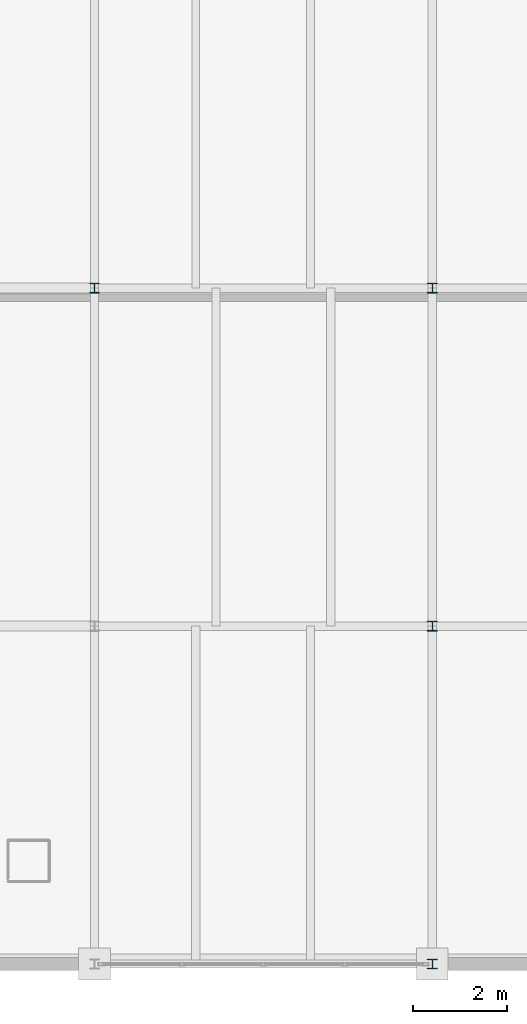
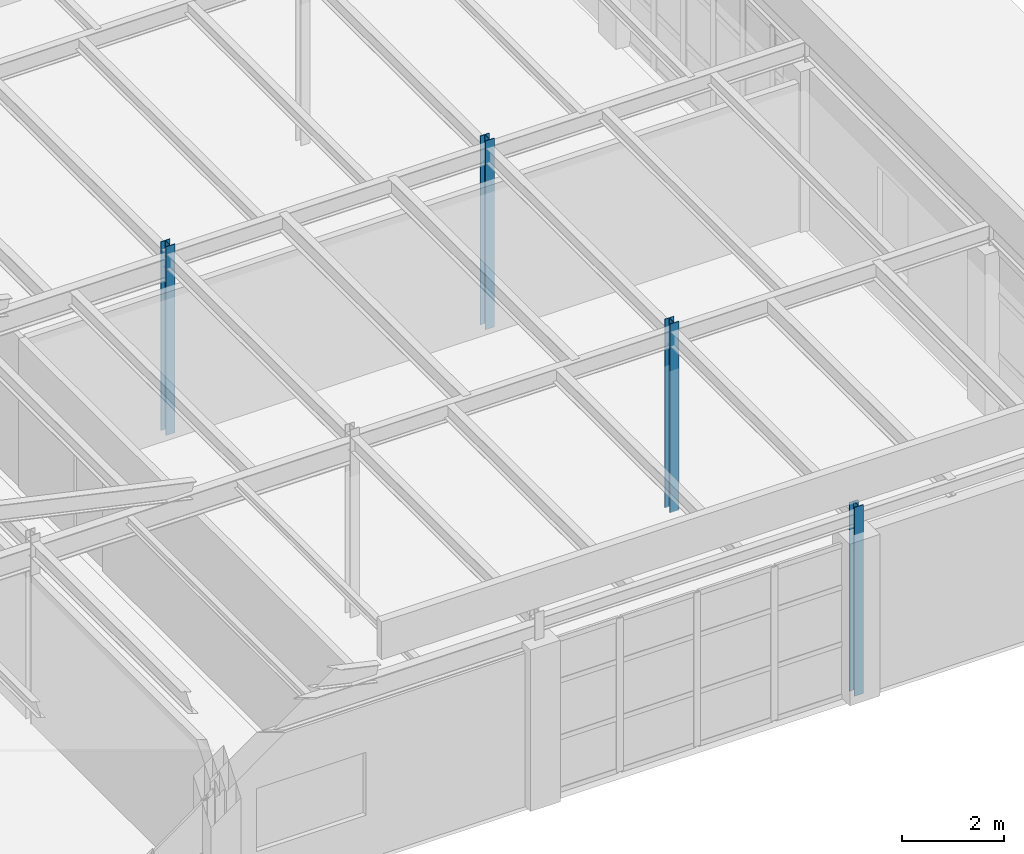
# One storey, part 2 of 43: 4 columns.
"""IFC4 building model written with IfcOpenShell, lengths in metres."""

from ifc_helpers import new_model, si_unit, direction, frame, origin, origin_2d, place, context, subcontext, project, spatial, i_section, extrude, material, material_profile, profile_set, type_object, element, save


model = new_model("IFC4")

# Units and contexts
model_context = context("Model", 3, precision=1e-05, world=origin(), true_north=direction((0.0, 1.0)))
body_context = subcontext(model_context, "Body", "Model", "MODEL_VIEW")
ifc_project = project(units=[si_unit("LENGTHUNIT", "METRE"), si_unit("AREAUNIT", "SQUARE_METRE"), si_unit("VOLUMEUNIT", "CUBIC_METRE"), si_unit("PLANEANGLEUNIT", "RADIAN"), si_unit("MASSUNIT", "GRAM", prefix="KILO")], contexts=[model_context])

# Site, building, storey
site_placement = place(None, origin())
site = spatial("IfcSite", under=ifc_project, at=site_placement, CompositionType="ELEMENT")
building_placement = place(site_placement, origin())
building = spatial("IfcBuilding", under=site, at=building_placement, Name="Kemerveld Promenade Tramway Depot", CompositionType="ELEMENT")
storey_placement = place(building_placement, frame((0.0, 0.0, 18.89990234375)))
storey = spatial("IfcBuildingStorey", under=building, at=storey_placement, Name="L04", CompositionType="ELEMENT", Elevation=18.89990234375)

# Columns
ifc_material = material(Name="Steel S355", Category="steel")
ifc_material_profile = material_profile(ifc_material, i_section(OverallWidth=0.205810546875, OverallDepth=0.209716796875, WebThickness=0.009521484375, FlangeThickness=0.01416015625, FilletRadius=0.01025390625, at=origin_2d()), Name="203x203x60 UC")
ifc_profile_set = profile_set([ifc_material_profile], Name="Steel S355")
column_type = type_object("IfcColumnType", Name="COL-S10", PredefinedType="COLUMN", material=ifc_profile_set)
for number, where, z_axis, x_axis, name in (
    (1, (21.60009765625, 14.39990234375, 0.0), (0.0, 0.0, 1.0), (1.0, 0.0, 0.0), "COL-L04-04-C"),
    (2, (28.800048828125, 0.0, 0.0), (0.0, 0.0, 1.0), (1.0, 0.0, 0.0), "COL-L04-05-A"),
    (3, (28.800048828125, 7.199951171875, 0.0), (0.0, 0.0, 1.0), (1.0, 0.0, 0.0), "COL-L04-05-B"),
    (4, (28.800048828125, 14.39990234375, 0.0), (0.0, 0.0, 1.0), (1.0, 0.0, 0.0), "COL-L04-05-C"),
):
    element("IfcColumn", number, at=place(storey_placement, frame(where, z_axis=z_axis, x_axis=x_axis)), inside=storey, type_object=column_type, Name=name, PredefinedType="COLUMN", context=body_context, shape_type="SweptSolid", body=[
        extrude(i_section(OverallWidth=0.205810546875, OverallDepth=0.209716796875, WebThickness=0.009521484375, FlangeThickness=0.01416015625, FilletRadius=0.01025390625, at=origin_2d()), origin(), (0.0, 0.0, 1.0), 4.5),
    ])

save(model, "model.ifc")
